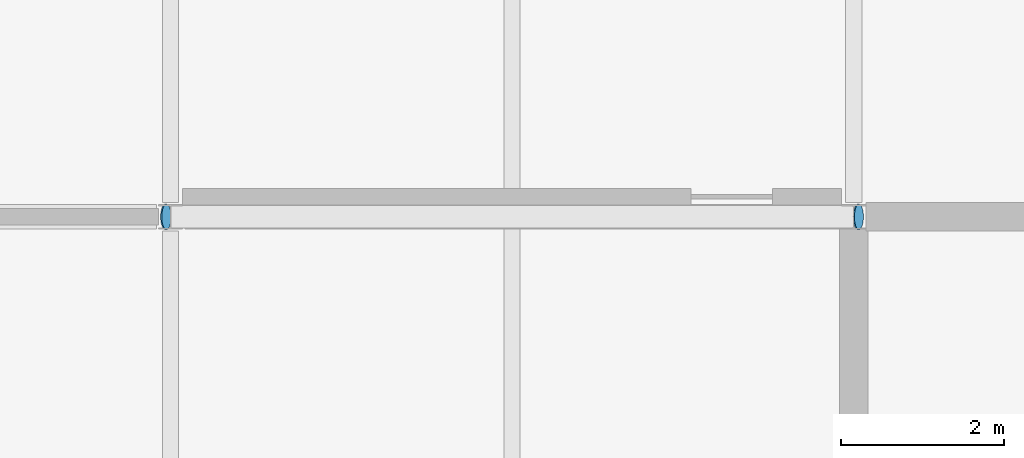
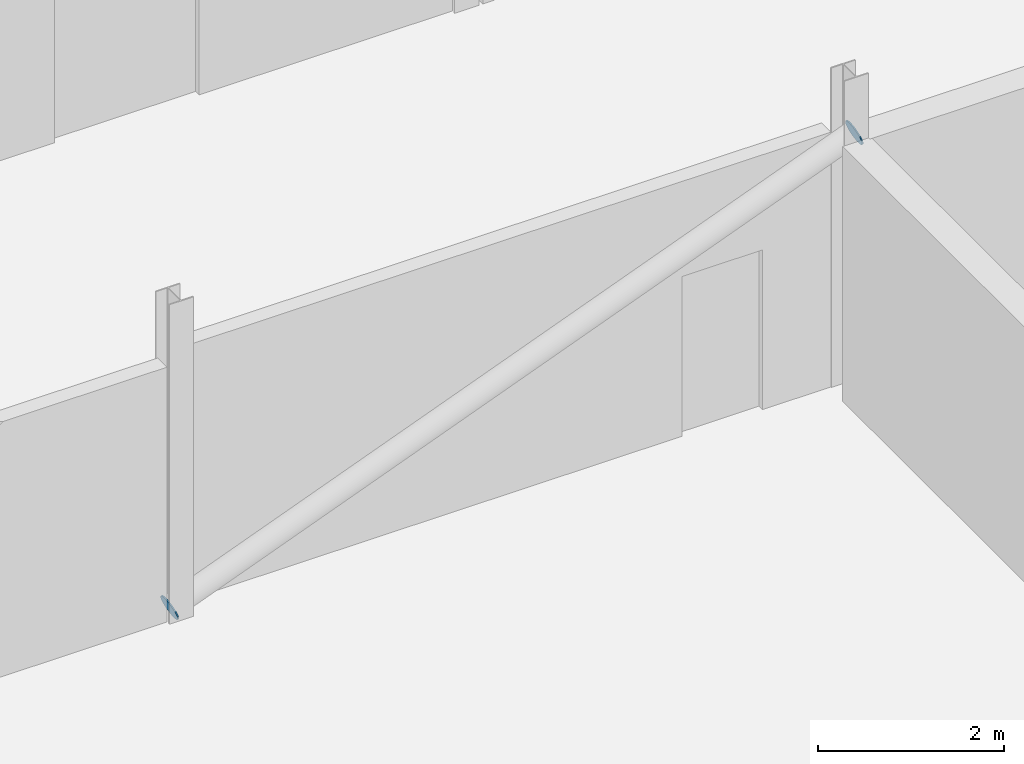
# One storey, part 84 of 100: 2 discrete accessories.
"""IFC4 building model written with IfcOpenShell, lengths in metres."""

from ifc_helpers import new_model, si_unit, direction, frame, origin, origin_2d, place, context, subcontext, project, spatial, circle, extrude, material, layer, layer_set, type_object, element, save


model = new_model("IFC4")

# Units and contexts
model_context = context("Model", 3, precision=1e-05, world=origin(), true_north=direction((0.0, 1.0)))
body_context = subcontext(model_context, "Body", "Model", "MODEL_VIEW")
ifc_project = project(units=[si_unit("LENGTHUNIT", "METRE"), si_unit("AREAUNIT", "SQUARE_METRE"), si_unit("VOLUMEUNIT", "CUBIC_METRE"), si_unit("PLANEANGLEUNIT", "RADIAN"), si_unit("MASSUNIT", "GRAM", prefix="KILO")], contexts=[model_context])

# Site, building, storey
site_placement = place(None, origin())
site = spatial("IfcSite", under=ifc_project, at=site_placement, CompositionType="ELEMENT")
building_placement = place(site_placement, origin())
building = spatial("IfcBuilding", under=site, at=building_placement, Name="Cresset Court Congress Hotel", CompositionType="ELEMENT")
storey_placement = place(building_placement, frame((0.0, 0.0, 10.199951171875)))
storey = spatial("IfcBuildingStorey", under=building, at=storey_placement, Name="L02", CompositionType="ELEMENT", Elevation=10.199951171875)

# Discrete accessories
ifc_material = material(Name="Structural steel Q355B", Category="steel")
ifc_layer = layer(ifc_material, 0.01611328125)
ifc_layer_set = layer_set([ifc_layer], Name="Brace end gusset 273x16")
discrete_accessory_type = type_object("IfcDiscreteAccessoryType", Name="Brace end gusset 273x16", PredefinedType="BRACKET", material=ifc_layer_set)
discrete_accessory_1_placement = place(storey_placement, frame((125.949951171875, 8.39990234375, 0.10009765625), z_axis=(-0.930565951697, 0.0, -0.366124308865), x_axis=(0.0, -1.0, 0.0)))
element("IfcDiscreteAccessory", 1, at=discrete_accessory_1_placement, inside=storey, type_object=discrete_accessory_type, Name="Brace end gusset L02 16-1", PredefinedType="BRACKET", context=body_context, shape_type="SweptSolid", body=[
    extrude(circle(Radius=0.156494140625, at=origin_2d()), origin(), (0.0, 0.0, 1.0), 0.01611328125),
])
discrete_accessory_2_placement = place(storey_placement, frame((134.449951171875, 8.39990234375, 3.360107421875), z_axis=(0.935697286394, 0.0, 0.35280389487), x_axis=(0.0, 1.0, 0.0)))
element("IfcDiscreteAccessory", 2, at=discrete_accessory_2_placement, inside=storey, type_object=discrete_accessory_type, Name="Brace end gusset L02 16-2", PredefinedType="BRACKET", context=body_context, shape_type="SweptSolid", body=[
    extrude(circle(Radius=0.156494140625, at=origin_2d()), origin(), (0.0, 0.0, 1.0), 0.015869140625),
])

save(model, "model.ifc")
